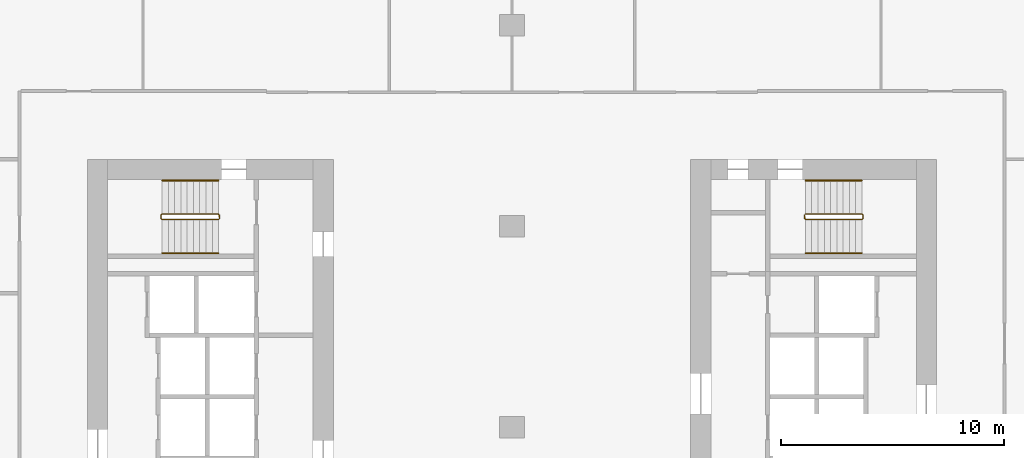
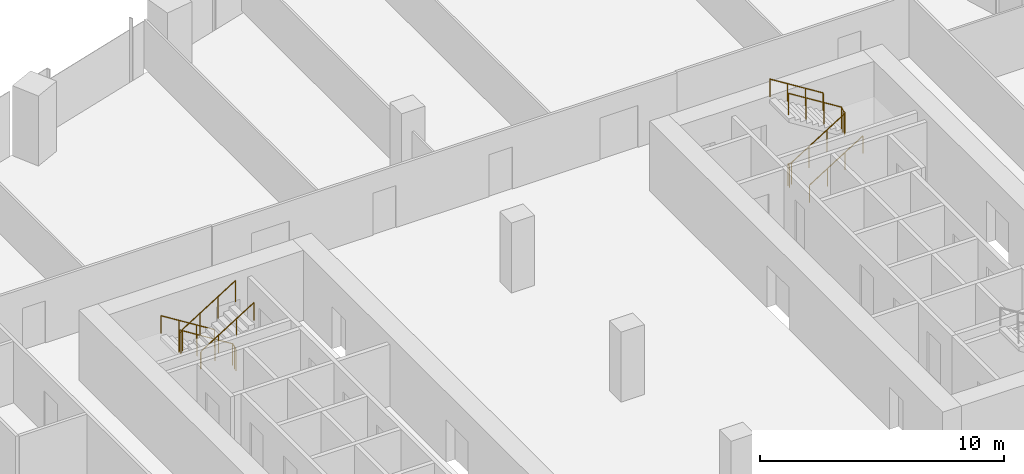
# One storey, part 31 of 31: 6 railings.
"""IFC4 building model written with IfcOpenShell, lengths in metres."""

from ifc_helpers import new_model, si_unit, direction, frame, origin, origin_2d, place, context, subcontext, project, spatial, circle, extrude, material, type_object, element, save


model = new_model("IFC4")

# Units and contexts
model_context = context("Model", 3, precision=1e-05, world=origin(), true_north=direction((0.0, 1.0)))
body_context = subcontext(model_context, "Body", "Model", "MODEL_VIEW")
ifc_project = project(units=[si_unit("LENGTHUNIT", "METRE"), si_unit("AREAUNIT", "SQUARE_METRE"), si_unit("VOLUMEUNIT", "CUBIC_METRE"), si_unit("PLANEANGLEUNIT", "RADIAN"), si_unit("MASSUNIT", "GRAM", prefix="KILO")], contexts=[model_context])

# Site, building, storey
site_placement = place(None, origin())
site = spatial("IfcSite", under=ifc_project, at=site_placement, CompositionType="ELEMENT")
building_placement = place(site_placement, origin())
building = spatial("IfcBuilding", under=site, at=building_placement, Name="Orlundy Tower", CompositionType="ELEMENT")
storey_placement = place(building_placement, frame((0.0, 0.0, 94.699951171875)))
storey = spatial("IfcBuildingStorey", under=building, at=storey_placement, Name="L23", CompositionType="ELEMENT", Elevation=94.699951171875)

# Railings
ifc_material_1 = material(Name="Steel balustrade", Category="steel")
railing_type_1 = type_object("IfcRailingType", Name="Stair Guard 1100", PredefinedType="GUARDRAIL", material=ifc_material_1)
railing_1_placement = place(storey_placement, frame((-13.090087890625, 9.5, 0.0)))
element("IfcRailing", 1, at=railing_1_placement, inside=storey, type_object=railing_type_1, Name="L23 ST-W1 stair guard 1", PredefinedType="GUARDRAIL", context=body_context, shape_type="SweptSolid", body=[
    extrude(circle(Radius=0.02392578125, at=origin_2d()), frame((0.0, 0.0, 1.076171875), z_axis=(0.0, -1.0, 0.0), x_axis=(1.0, 0.0, 0.0)), (0.0, 0.0, 1.0), 0.14990234375),
    extrude(circle(Radius=0.02392578125, at=origin_2d()), frame((0.0, -0.14990234375, 1.076171875), z_axis=(-0.18420542264, 0.739530593833, 0.647427882513), x_axis=(-0.970351222016, -0.241699205484, 0.0)), (0.0, 0.0, 1.0), 0.270263671875),
    extrude(circle(Radius=0.02392578125, at=origin_2d()), frame((-0.0498046875, 0.050048828125, 1.2509765625), z_axis=(-0.848007534815, 0.0, 0.529984170421), x_axis=(0.0, -1.0, 0.0)), (0.0, 0.0, 1.0), 2.9716796875),
    extrude(circle(Radius=0.02392578125, at=origin_2d()), frame((-2.56982421875, 0.050048828125, 2.826171875), z_axis=(-0.707106781187, -0.707106781187, 0.0), x_axis=(0.707106781187, -0.707106781187, 0.0)), (0.0, 0.0, 1.0), 0.07080078125),
    extrude(circle(Radius=0.02392578125, at=origin_2d()), frame((-2.619873046875, 0.0, 2.826171875), z_axis=(0.0, -1.0, 0.0), x_axis=(1.0, 0.0, 0.0)), (0.0, 0.0, 1.0), 0.14990234375),
    extrude(circle(Radius=0.02392578125, at=origin_2d()), frame((-2.619873046875, -0.14990234375, 2.826171875), z_axis=(0.265065253269, -0.265065253269, 0.927081885822), x_axis=(0.707106781187, 0.707106781187, 0.0)), (0.0, 0.0, 1.0), 0.188720703125),
    extrude(circle(Radius=0.02392578125, at=origin_2d()), frame((-2.56982421875, -0.199951171875, 3.0009765625), z_axis=(0.848007534815, 0.0, 0.529984170421), x_axis=(0.0, 1.0, 0.0)), (0.0, 0.0, 1.0), 2.9716796875),
    extrude(circle(Radius=0.02099609375, at=origin_2d()), origin(), (0.0, 0.0, 1.0), 1.052001953125),
    extrude(circle(Radius=0.02099609375, at=origin_2d()), frame((0.0, -0.14990234375, 0.0)), (0.0, 0.0, 1.0), 1.052001953125),
    extrude(circle(Radius=0.02099609375, at=origin_2d()), frame((-0.0498046875, 0.050048828125, 0.175048828125)), (0.0, 0.0, 1.0), 1.052001953125),
    extrude(circle(Radius=0.02099609375, at=origin_2d()), frame((-0.889892578125, 0.050048828125, 0.699951171875)), (0.0, 0.0, 1.0), 1.052001953125),
    extrude(circle(Radius=0.02099609375, at=origin_2d()), frame((-1.729736328125, 0.050048828125, 1.22509765625)), (0.0, 0.0, 1.0), 1.052001953125),
    extrude(circle(Radius=0.02099609375, at=origin_2d()), frame((-2.56982421875, 0.050048828125, 1.75)), (0.0, 0.0, 1.0), 1.052001953125),
    extrude(circle(Radius=0.02099609375, at=origin_2d()), frame((-2.619873046875, 0.0, 1.75)), (0.0, 0.0, 1.0), 1.052001953125),
    extrude(circle(Radius=0.02099609375, at=origin_2d()), frame((-2.619873046875, -0.14990234375, 1.75)), (0.0, 0.0, 1.0), 1.052001953125),
    extrude(circle(Radius=0.02099609375, at=origin_2d()), frame((-2.56982421875, -0.199951171875, 1.925048828125)), (0.0, 0.0, 1.0), 1.052001953125),
    extrude(circle(Radius=0.02099609375, at=origin_2d()), frame((-1.729736328125, -0.199951171875, 2.449951171875)), (0.0, 0.0, 1.0), 1.052001953125),
    extrude(circle(Radius=0.02099609375, at=origin_2d()), frame((-0.889892578125, -0.199951171875, 2.97509765625)), (0.0, 0.0, 1.0), 1.052001953125),
    extrude(circle(Radius=0.02099609375, at=origin_2d()), frame((-0.0498046875, -0.199951171875, 3.5)), (0.0, 0.0, 1.0), 1.052001953125),
])
railing_2_placement = place(storey_placement, frame((13.090087890625, 9.35009765625, 0.0)))
element("IfcRailing", 2, at=railing_2_placement, inside=storey, type_object=railing_type_1, Name="L23 ST-E2 stair guard 1", PredefinedType="GUARDRAIL", context=body_context, shape_type="SweptSolid", body=[
    extrude(circle(Radius=0.02392578125, at=origin_2d()), frame((0.0, 0.0, 1.076171875), z_axis=(0.0, 1.0, 0.0), x_axis=(-1.0, 0.0, 0.0)), (0.0, 0.0, 1.0), 0.14990234375),
    extrude(circle(Radius=0.02392578125, at=origin_2d()), frame((0.0, 0.14990234375, 1.076171875), z_axis=(0.18420542264, -0.739530593833, 0.647427882513), x_axis=(0.970351222016, 0.241699205484, 0.0)), (0.0, 0.0, 1.0), 0.270263671875),
    extrude(circle(Radius=0.02392578125, at=origin_2d()), frame((0.0498046875, -0.050048828125, 1.2509765625), z_axis=(0.848007534815, 0.0, 0.529984170421), x_axis=(0.0, 1.0, 0.0)), (0.0, 0.0, 1.0), 2.9716796875),
    extrude(circle(Radius=0.02392578125, at=origin_2d()), frame((2.56982421875, -0.050048828125, 2.826171875), z_axis=(0.707106781187, 0.707106781187, 0.0), x_axis=(-0.707106781187, 0.707106781187, 0.0)), (0.0, 0.0, 1.0), 0.07080078125),
    extrude(circle(Radius=0.02392578125, at=origin_2d()), frame((2.619873046875, 0.0, 2.826171875), z_axis=(0.0, 1.0, 0.0), x_axis=(-1.0, 0.0, 0.0)), (0.0, 0.0, 1.0), 0.14990234375),
    extrude(circle(Radius=0.02392578125, at=origin_2d()), frame((2.619873046875, 0.14990234375, 2.826171875), z_axis=(-0.265065253269, 0.265065253269, 0.927081885822), x_axis=(-0.707106781187, -0.707106781187, 0.0)), (0.0, 0.0, 1.0), 0.188720703125),
    extrude(circle(Radius=0.02392578125, at=origin_2d()), frame((2.56982421875, 0.199951171875, 3.0009765625), z_axis=(-0.848007534815, 0.0, 0.529984170421), x_axis=(0.0, -1.0, 0.0)), (0.0, 0.0, 1.0), 2.9716796875),
    extrude(circle(Radius=0.02099609375, at=origin_2d()), origin(), (0.0, 0.0, 1.0), 1.052001953125),
    extrude(circle(Radius=0.02099609375, at=origin_2d()), frame((0.0, 0.14990234375, 0.0)), (0.0, 0.0, 1.0), 1.052001953125),
    extrude(circle(Radius=0.02099609375, at=origin_2d()), frame((0.0498046875, -0.050048828125, 0.175048828125)), (0.0, 0.0, 1.0), 1.052001953125),
    extrude(circle(Radius=0.02099609375, at=origin_2d()), frame((0.889892578125, -0.050048828125, 0.699951171875)), (0.0, 0.0, 1.0), 1.052001953125),
    extrude(circle(Radius=0.02099609375, at=origin_2d()), frame((1.729736328125, -0.050048828125, 1.22509765625)), (0.0, 0.0, 1.0), 1.052001953125),
    extrude(circle(Radius=0.02099609375, at=origin_2d()), frame((2.56982421875, -0.050048828125, 1.75)), (0.0, 0.0, 1.0), 1.052001953125),
    extrude(circle(Radius=0.02099609375, at=origin_2d()), frame((2.619873046875, 0.0, 1.75)), (0.0, 0.0, 1.0), 1.052001953125),
    extrude(circle(Radius=0.02099609375, at=origin_2d()), frame((2.619873046875, 0.14990234375, 1.75)), (0.0, 0.0, 1.0), 1.052001953125),
    extrude(circle(Radius=0.02099609375, at=origin_2d()), frame((2.56982421875, 0.199951171875, 1.925048828125)), (0.0, 0.0, 1.0), 1.052001953125),
    extrude(circle(Radius=0.02099609375, at=origin_2d()), frame((1.729736328125, 0.199951171875, 2.449951171875)), (0.0, 0.0, 1.0), 1.052001953125),
    extrude(circle(Radius=0.02099609375, at=origin_2d()), frame((0.889892578125, 0.199951171875, 2.97509765625)), (0.0, 0.0, 1.0), 1.052001953125),
    extrude(circle(Radius=0.02099609375, at=origin_2d()), frame((0.0498046875, 0.199951171875, 3.5)), (0.0, 0.0, 1.0), 1.052001953125),
])
ifc_material_2 = material(Name="Steel handrail", Category="steel")
railing_type_2 = type_object("IfcRailingType", Name="Stair Handrail 900", PredefinedType="HANDRAIL", material=ifc_material_2)
railing_3_placement = place(storey_placement, frame((-13.139892578125, 11.050048828125, 0.175048828125)))
element("IfcRailing", 3, at=railing_3_placement, inside=storey, type_object=railing_type_2, Name="L23 ST-W1 stair handrail 1", PredefinedType="HANDRAIL", context=body_context, shape_type="SweptSolid", body=[
    extrude(circle(Radius=0.02392578125, at=origin_2d()), frame((0.0, 0.0, 0.8759765625), z_axis=(-0.848007534815, 0.0, 0.529984170421), x_axis=(0.0, -1.0, 0.0)), (0.0, 0.0, 1.0), 2.9716796875),
    extrude(circle(Radius=0.02099609375, at=origin_2d()), origin(), (0.0, 0.0, 1.0), 0.851806640625),
    extrude(circle(Radius=0.02099609375, at=origin_2d()), frame((-0.840087890625, 0.0, 0.52490234375)), (0.0, 0.0, 1.0), 0.851806640625),
    extrude(circle(Radius=0.02099609375, at=origin_2d()), frame((-1.679931640625, 0.0, 1.050048828125)), (0.0, 0.0, 1.0), 0.851806640625),
    extrude(circle(Radius=0.02099609375, at=origin_2d()), frame((-2.52001953125, 0.0, 1.574951171875)), (0.0, 0.0, 1.0), 0.851806640625),
])
for number, where, name in (
    (4, (-15.659912109375, 7.800048828125, 1.925048828125), "L23 ST-W1 stair handrail 2"),
    (5, (13.139892578125, 7.800048828125, 0.175048828125), "L23 ST-E2 stair handrail 1"),
):
    element("IfcRailing", number, at=place(storey_placement, frame(where)), inside=storey, type_object=railing_type_2, Name=name, PredefinedType="HANDRAIL", context=body_context, shape_type="SweptSolid", body=[
        extrude(circle(Radius=0.02392578125, at=origin_2d()), frame((0.0, 0.0, 0.8759765625), z_axis=(0.848007534815, 0.0, 0.529984170421), x_axis=(0.0, 1.0, 0.0)), (0.0, 0.0, 1.0), 2.9716796875),
        extrude(circle(Radius=0.02099609375, at=origin_2d()), origin(), (0.0, 0.0, 1.0), 0.851806640625),
        extrude(circle(Radius=0.02099609375, at=origin_2d()), frame((0.840087890625, 0.0, 0.52490234375)), (0.0, 0.0, 1.0), 0.851806640625),
        extrude(circle(Radius=0.02099609375, at=origin_2d()), frame((1.679931640625, 0.0, 1.050048828125)), (0.0, 0.0, 1.0), 0.851806640625),
        extrude(circle(Radius=0.02099609375, at=origin_2d()), frame((2.52001953125, 0.0, 1.574951171875)), (0.0, 0.0, 1.0), 0.851806640625),
    ])
railing_4_placement = place(storey_placement, frame((15.659912109375, 11.050048828125, 1.925048828125)))
element("IfcRailing", 6, at=railing_4_placement, inside=storey, type_object=railing_type_2, Name="L23 ST-E2 stair handrail 2", PredefinedType="HANDRAIL", context=body_context, shape_type="SweptSolid", body=[
    extrude(circle(Radius=0.02392578125, at=origin_2d()), frame((0.0, 0.0, 0.8759765625), z_axis=(-0.848007534815, 0.0, 0.529984170421), x_axis=(0.0, -1.0, 0.0)), (0.0, 0.0, 1.0), 2.9716796875),
    extrude(circle(Radius=0.02099609375, at=origin_2d()), origin(), (0.0, 0.0, 1.0), 0.851806640625),
    extrude(circle(Radius=0.02099609375, at=origin_2d()), frame((-0.840087890625, 0.0, 0.52490234375)), (0.0, 0.0, 1.0), 0.851806640625),
    extrude(circle(Radius=0.02099609375, at=origin_2d()), frame((-1.679931640625, 0.0, 1.050048828125)), (0.0, 0.0, 1.0), 0.851806640625),
    extrude(circle(Radius=0.02099609375, at=origin_2d()), frame((-2.52001953125, 0.0, 1.574951171875)), (0.0, 0.0, 1.0), 0.851806640625),
])

save(model, "model.ifc")
